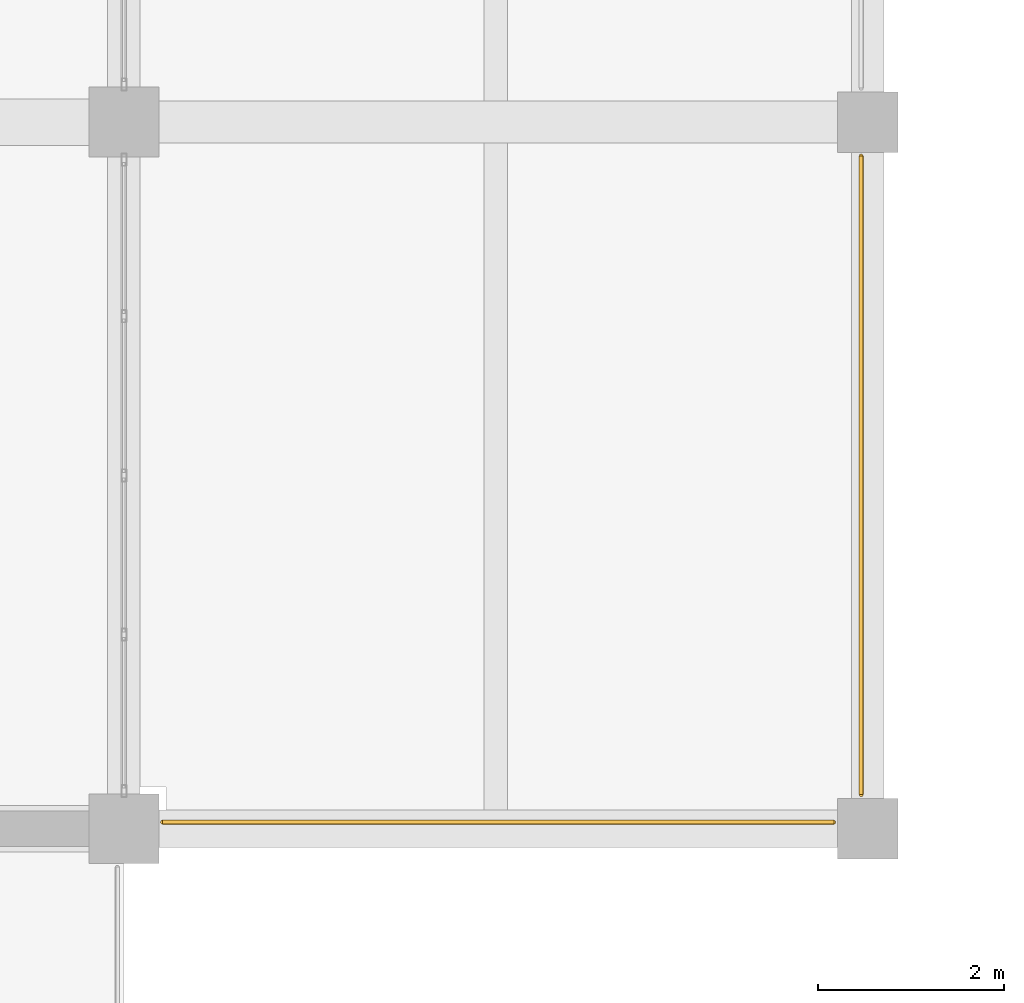
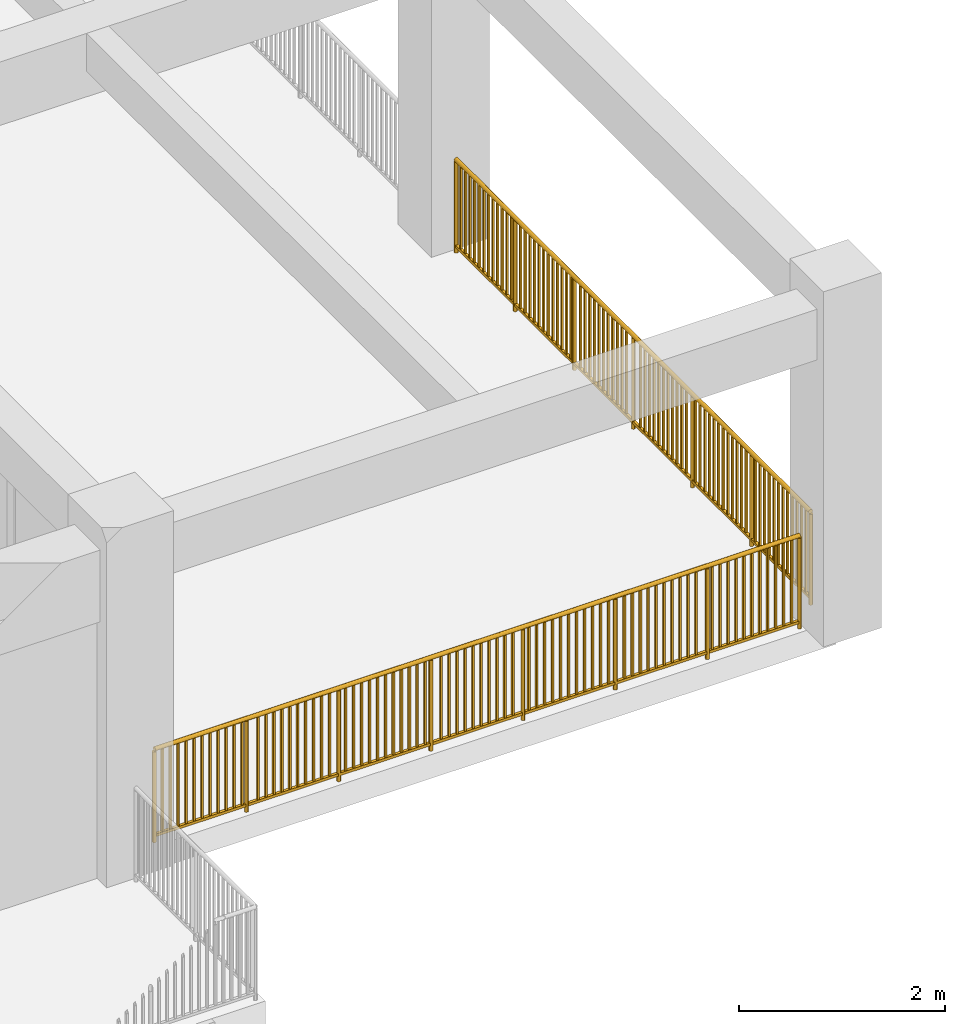
# One storey, part 53 of 63: 2 railings.
"""IFC4 building model written with IfcOpenShell, lengths in metres."""

from ifc_helpers import new_model, si_unit, direction, frame, origin, origin_2d, place, context, subcontext, project, spatial, rectangle, circle, extrude, material, type_object, element, save


model = new_model("IFC4")

# Units and contexts
model_context = context("Model", 3, precision=1e-05, world=origin(), true_north=direction((0.0, 1.0)))
body_context = subcontext(model_context, "Body", "Model", "MODEL_VIEW")
ifc_project = project(units=[si_unit("LENGTHUNIT", "METRE"), si_unit("AREAUNIT", "SQUARE_METRE"), si_unit("VOLUMEUNIT", "CUBIC_METRE"), si_unit("PLANEANGLEUNIT", "RADIAN"), si_unit("MASSUNIT", "GRAM", prefix="KILO")], contexts=[model_context])

# Site, building, storey
site_placement = place(None, origin())
site = spatial("IfcSite", under=ifc_project, at=site_placement, CompositionType="ELEMENT")
building_placement = place(site_placement, origin())
building = spatial("IfcBuilding", under=site, at=building_placement, Name="Zantavel Square City Hall", CompositionType="ELEMENT")
storey_placement = place(building_placement, frame((0.0, 0.0, 14.699951171875)))
storey = spatial("IfcBuildingStorey", under=building, at=storey_placement, Name="L04", CompositionType="ELEMENT", Elevation=14.699951171875)

# Railings
ifc_material = material(Name="Steel ASTM A500 Grade B", Category="steel")
railing_type = type_object("IfcRailingType", Name="Classical Stone & Steel Terrace Balustrade 1100mm", PredefinedType="BALUSTRADE", material=ifc_material)
railing_1_placement = place(storey_placement, frame((111.635009765625, 30.469970703125, 0.0)))
element("IfcRailing", 1, at=railing_1_placement, inside=storey, type_object=railing_type, Name="L04 Terrace Balustrade 039", PredefinedType="BALUSTRADE", context=body_context, shape_type="SweptSolid", body=[
    extrude(circle(Radius=0.02392578125, at=origin_2d()), frame((0.0, 0.0, 1.09619140625), z_axis=(-1.0, 0.0, 0.0), x_axis=(0.0, -1.0, 0.0)), (0.0, 0.0, 1.0), 7.219970703125),
    extrude(rectangle(XDim=0.031982421875, YDim=0.031982421875, at=origin_2d()), frame((0.0, 0.0, 0.080078125), z_axis=(-1.0, 0.0, 0.0), x_axis=(0.0, -1.0, 0.0)), (0.0, 0.0, 1.0), 7.219970703125),
    extrude(rectangle(XDim=0.02197265625, YDim=0.02197265625, at=origin_2d()), frame((-0.089111328125, 0.0, 0.080078125)), (0.0, 0.0, 1.0), 0.991943359375),
    extrude(rectangle(XDim=0.02197265625, YDim=0.02197265625, at=origin_2d()), frame((-0.17822265625, 0.0, 0.080078125)), (0.0, 0.0, 1.0), 0.991943359375),
    extrude(rectangle(XDim=0.02197265625, YDim=0.02197265625, at=origin_2d()), frame((-0.267333984375, 0.0, 0.080078125)), (0.0, 0.0, 1.0), 0.991943359375),
    extrude(rectangle(XDim=0.02197265625, YDim=0.02197265625, at=origin_2d()), frame((-0.3564453125, 0.0, 0.080078125)), (0.0, 0.0, 1.0), 0.991943359375),
    extrude(rectangle(XDim=0.02197265625, YDim=0.02197265625, at=origin_2d()), frame((-0.445556640625, 0.0, 0.080078125)), (0.0, 0.0, 1.0), 0.991943359375),
    extrude(rectangle(XDim=0.02197265625, YDim=0.02197265625, at=origin_2d()), frame((-0.534912109375, 0.0, 0.080078125)), (0.0, 0.0, 1.0), 0.991943359375),
    extrude(rectangle(XDim=0.02197265625, YDim=0.02197265625, at=origin_2d()), frame((-0.6240234375, 0.0, 0.080078125)), (0.0, 0.0, 1.0), 0.991943359375),
    extrude(rectangle(XDim=0.02197265625, YDim=0.02197265625, at=origin_2d()), frame((-0.713134765625, 0.0, 0.080078125)), (0.0, 0.0, 1.0), 0.991943359375),
    extrude(rectangle(XDim=0.02197265625, YDim=0.02197265625, at=origin_2d()), frame((-0.80224609375, 0.0, 0.080078125)), (0.0, 0.0, 1.0), 0.991943359375),
    extrude(rectangle(XDim=0.02197265625, YDim=0.02197265625, at=origin_2d()), frame((-0.891357421875, 0.0, 0.080078125)), (0.0, 0.0, 1.0), 0.991943359375),
    extrude(rectangle(XDim=0.02197265625, YDim=0.02197265625, at=origin_2d()), frame((-0.98046875, 0.0, 0.080078125)), (0.0, 0.0, 1.0), 0.991943359375),
    extrude(rectangle(XDim=0.02197265625, YDim=0.02197265625, at=origin_2d()), frame((-1.15869140625, 0.0, 0.080078125)), (0.0, 0.0, 1.0), 0.991943359375),
    extrude(rectangle(XDim=0.02197265625, YDim=0.02197265625, at=origin_2d()), frame((-1.247802734375, 0.0, 0.080078125)), (0.0, 0.0, 1.0), 0.991943359375),
    extrude(rectangle(XDim=0.02197265625, YDim=0.02197265625, at=origin_2d()), frame((-1.3369140625, 0.0, 0.080078125)), (0.0, 0.0, 1.0), 0.991943359375),
    extrude(rectangle(XDim=0.02197265625, YDim=0.02197265625, at=origin_2d()), frame((-1.42626953125, 0.0, 0.080078125)), (0.0, 0.0, 1.0), 0.991943359375),
    extrude(rectangle(XDim=0.02197265625, YDim=0.02197265625, at=origin_2d()), frame((-1.515380859375, 0.0, 0.080078125)), (0.0, 0.0, 1.0), 0.991943359375),
    extrude(rectangle(XDim=0.02197265625, YDim=0.02197265625, at=origin_2d()), frame((-1.6044921875, 0.0, 0.080078125)), (0.0, 0.0, 1.0), 0.991943359375),
    extrude(rectangle(XDim=0.02197265625, YDim=0.02197265625, at=origin_2d()), frame((-1.693603515625, 0.0, 0.080078125)), (0.0, 0.0, 1.0), 0.991943359375),
    extrude(rectangle(XDim=0.02197265625, YDim=0.02197265625, at=origin_2d()), frame((-1.78271484375, 0.0, 0.080078125)), (0.0, 0.0, 1.0), 0.991943359375),
    extrude(rectangle(XDim=0.02197265625, YDim=0.02197265625, at=origin_2d()), frame((-1.871826171875, 0.0, 0.080078125)), (0.0, 0.0, 1.0), 0.991943359375),
    extrude(rectangle(XDim=0.02197265625, YDim=0.02197265625, at=origin_2d()), frame((-1.9609375, 0.0, 0.080078125)), (0.0, 0.0, 1.0), 0.991943359375),
    extrude(rectangle(XDim=0.02197265625, YDim=0.02197265625, at=origin_2d()), frame((-2.13916015625, 0.0, 0.080078125)), (0.0, 0.0, 1.0), 0.991943359375),
    extrude(rectangle(XDim=0.02197265625, YDim=0.02197265625, at=origin_2d()), frame((-2.228271484375, 0.0, 0.080078125)), (0.0, 0.0, 1.0), 0.991943359375),
    extrude(rectangle(XDim=0.02197265625, YDim=0.02197265625, at=origin_2d()), frame((-2.317626953125, 0.0, 0.080078125)), (0.0, 0.0, 1.0), 0.991943359375),
    extrude(rectangle(XDim=0.02197265625, YDim=0.02197265625, at=origin_2d()), frame((-2.40673828125, 0.0, 0.080078125)), (0.0, 0.0, 1.0), 0.991943359375),
    extrude(rectangle(XDim=0.02197265625, YDim=0.02197265625, at=origin_2d()), frame((-2.495849609375, 0.0, 0.080078125)), (0.0, 0.0, 1.0), 0.991943359375),
    extrude(rectangle(XDim=0.02197265625, YDim=0.02197265625, at=origin_2d()), frame((-2.5849609375, 0.0, 0.080078125)), (0.0, 0.0, 1.0), 0.991943359375),
    extrude(rectangle(XDim=0.02197265625, YDim=0.02197265625, at=origin_2d()), frame((-2.674072265625, 0.0, 0.080078125)), (0.0, 0.0, 1.0), 0.991943359375),
    extrude(rectangle(XDim=0.02197265625, YDim=0.02197265625, at=origin_2d()), frame((-2.76318359375, 0.0, 0.080078125)), (0.0, 0.0, 1.0), 0.991943359375),
    extrude(rectangle(XDim=0.02197265625, YDim=0.02197265625, at=origin_2d()), frame((-2.852294921875, 0.0, 0.080078125)), (0.0, 0.0, 1.0), 0.991943359375),
    extrude(rectangle(XDim=0.02197265625, YDim=0.02197265625, at=origin_2d()), frame((-2.94140625, 0.0, 0.080078125)), (0.0, 0.0, 1.0), 0.991943359375),
    extrude(rectangle(XDim=0.02197265625, YDim=0.02197265625, at=origin_2d()), frame((-3.030517578125, 0.0, 0.080078125)), (0.0, 0.0, 1.0), 0.991943359375),
    extrude(rectangle(XDim=0.02197265625, YDim=0.02197265625, at=origin_2d()), frame((-3.208984375, 0.0, 0.080078125)), (0.0, 0.0, 1.0), 0.991943359375),
    extrude(rectangle(XDim=0.02197265625, YDim=0.02197265625, at=origin_2d()), frame((-3.298095703125, 0.0, 0.080078125)), (0.0, 0.0, 1.0), 0.991943359375),
    extrude(rectangle(XDim=0.02197265625, YDim=0.02197265625, at=origin_2d()), frame((-3.38720703125, 0.0, 0.080078125)), (0.0, 0.0, 1.0), 0.991943359375),
    extrude(rectangle(XDim=0.02197265625, YDim=0.02197265625, at=origin_2d()), frame((-3.476318359375, 0.0, 0.080078125)), (0.0, 0.0, 1.0), 0.991943359375),
    extrude(rectangle(XDim=0.02197265625, YDim=0.02197265625, at=origin_2d()), frame((-3.5654296875, 0.0, 0.080078125)), (0.0, 0.0, 1.0), 0.991943359375),
    extrude(rectangle(XDim=0.02197265625, YDim=0.02197265625, at=origin_2d()), frame((-3.654541015625, 0.0, 0.080078125)), (0.0, 0.0, 1.0), 0.991943359375),
    extrude(rectangle(XDim=0.02197265625, YDim=0.02197265625, at=origin_2d()), frame((-3.74365234375, 0.0, 0.080078125)), (0.0, 0.0, 1.0), 0.991943359375),
    extrude(rectangle(XDim=0.02197265625, YDim=0.02197265625, at=origin_2d()), frame((-3.832763671875, 0.0, 0.080078125)), (0.0, 0.0, 1.0), 0.991943359375),
    extrude(rectangle(XDim=0.02197265625, YDim=0.02197265625, at=origin_2d()), frame((-3.921875, 0.0, 0.080078125)), (0.0, 0.0, 1.0), 0.991943359375),
    extrude(rectangle(XDim=0.02197265625, YDim=0.02197265625, at=origin_2d()), frame((-4.010986328125, 0.0, 0.080078125)), (0.0, 0.0, 1.0), 0.991943359375),
    extrude(rectangle(XDim=0.02197265625, YDim=0.02197265625, at=origin_2d()), frame((-4.189453125, 0.0, 0.080078125)), (0.0, 0.0, 1.0), 0.991943359375),
    extrude(rectangle(XDim=0.02197265625, YDim=0.02197265625, at=origin_2d()), frame((-4.278564453125, 0.0, 0.080078125)), (0.0, 0.0, 1.0), 0.991943359375),
    extrude(rectangle(XDim=0.02197265625, YDim=0.02197265625, at=origin_2d()), frame((-4.36767578125, 0.0, 0.080078125)), (0.0, 0.0, 1.0), 0.991943359375),
    extrude(rectangle(XDim=0.02197265625, YDim=0.02197265625, at=origin_2d()), frame((-4.456787109375, 0.0, 0.080078125)), (0.0, 0.0, 1.0), 0.991943359375),
    extrude(rectangle(XDim=0.02197265625, YDim=0.02197265625, at=origin_2d()), frame((-4.5458984375, 0.0, 0.080078125)), (0.0, 0.0, 1.0), 0.991943359375),
    extrude(rectangle(XDim=0.02197265625, YDim=0.02197265625, at=origin_2d()), frame((-4.635009765625, 0.0, 0.080078125)), (0.0, 0.0, 1.0), 0.991943359375),
    extrude(rectangle(XDim=0.02197265625, YDim=0.02197265625, at=origin_2d()), frame((-4.72412109375, 0.0, 0.080078125)), (0.0, 0.0, 1.0), 0.991943359375),
    extrude(rectangle(XDim=0.02197265625, YDim=0.02197265625, at=origin_2d()), frame((-4.813232421875, 0.0, 0.080078125)), (0.0, 0.0, 1.0), 0.991943359375),
    extrude(rectangle(XDim=0.02197265625, YDim=0.02197265625, at=origin_2d()), frame((-4.90234375, 0.0, 0.080078125)), (0.0, 0.0, 1.0), 0.991943359375),
    extrude(rectangle(XDim=0.02197265625, YDim=0.02197265625, at=origin_2d()), frame((-4.99169921875, 0.0, 0.080078125)), (0.0, 0.0, 1.0), 0.991943359375),
    extrude(rectangle(XDim=0.02197265625, YDim=0.02197265625, at=origin_2d()), frame((-5.080810546875, 0.0, 0.080078125)), (0.0, 0.0, 1.0), 0.991943359375),
    extrude(rectangle(XDim=0.02197265625, YDim=0.02197265625, at=origin_2d()), frame((-5.259033203125, 0.0, 0.080078125)), (0.0, 0.0, 1.0), 0.991943359375),
    extrude(rectangle(XDim=0.02197265625, YDim=0.02197265625, at=origin_2d()), frame((-5.34814453125, 0.0, 0.080078125)), (0.0, 0.0, 1.0), 0.991943359375),
    extrude(rectangle(XDim=0.02197265625, YDim=0.02197265625, at=origin_2d()), frame((-5.437255859375, 0.0, 0.080078125)), (0.0, 0.0, 1.0), 0.991943359375),
    extrude(rectangle(XDim=0.02197265625, YDim=0.02197265625, at=origin_2d()), frame((-5.5263671875, 0.0, 0.080078125)), (0.0, 0.0, 1.0), 0.991943359375),
    extrude(rectangle(XDim=0.02197265625, YDim=0.02197265625, at=origin_2d()), frame((-5.615478515625, 0.0, 0.080078125)), (0.0, 0.0, 1.0), 0.991943359375),
    extrude(rectangle(XDim=0.02197265625, YDim=0.02197265625, at=origin_2d()), frame((-5.70458984375, 0.0, 0.080078125)), (0.0, 0.0, 1.0), 0.991943359375),
    extrude(rectangle(XDim=0.02197265625, YDim=0.02197265625, at=origin_2d()), frame((-5.793701171875, 0.0, 0.080078125)), (0.0, 0.0, 1.0), 0.991943359375),
    extrude(rectangle(XDim=0.02197265625, YDim=0.02197265625, at=origin_2d()), frame((-5.883056640625, 0.0, 0.080078125)), (0.0, 0.0, 1.0), 0.991943359375),
    extrude(rectangle(XDim=0.02197265625, YDim=0.02197265625, at=origin_2d()), frame((-5.97216796875, 0.0, 0.080078125)), (0.0, 0.0, 1.0), 0.991943359375),
    extrude(rectangle(XDim=0.02197265625, YDim=0.02197265625, at=origin_2d()), frame((-6.061279296875, 0.0, 0.080078125)), (0.0, 0.0, 1.0), 0.991943359375),
    extrude(rectangle(XDim=0.02197265625, YDim=0.02197265625, at=origin_2d()), frame((-6.239501953125, 0.0, 0.080078125)), (0.0, 0.0, 1.0), 0.991943359375),
    extrude(rectangle(XDim=0.02197265625, YDim=0.02197265625, at=origin_2d()), frame((-6.32861328125, 0.0, 0.080078125)), (0.0, 0.0, 1.0), 0.991943359375),
    extrude(rectangle(XDim=0.02197265625, YDim=0.02197265625, at=origin_2d()), frame((-6.417724609375, 0.0, 0.080078125)), (0.0, 0.0, 1.0), 0.991943359375),
    extrude(rectangle(XDim=0.02197265625, YDim=0.02197265625, at=origin_2d()), frame((-6.5068359375, 0.0, 0.080078125)), (0.0, 0.0, 1.0), 0.991943359375),
    extrude(rectangle(XDim=0.02197265625, YDim=0.02197265625, at=origin_2d()), frame((-6.595947265625, 0.0, 0.080078125)), (0.0, 0.0, 1.0), 0.991943359375),
    extrude(rectangle(XDim=0.02197265625, YDim=0.02197265625, at=origin_2d()), frame((-6.68505859375, 0.0, 0.080078125)), (0.0, 0.0, 1.0), 0.991943359375),
    extrude(rectangle(XDim=0.02197265625, YDim=0.02197265625, at=origin_2d()), frame((-6.7744140625, 0.0, 0.080078125)), (0.0, 0.0, 1.0), 0.991943359375),
    extrude(rectangle(XDim=0.02197265625, YDim=0.02197265625, at=origin_2d()), frame((-6.863525390625, 0.0, 0.080078125)), (0.0, 0.0, 1.0), 0.991943359375),
    extrude(rectangle(XDim=0.02197265625, YDim=0.02197265625, at=origin_2d()), frame((-6.95263671875, 0.0, 0.080078125)), (0.0, 0.0, 1.0), 0.991943359375),
    extrude(rectangle(XDim=0.02197265625, YDim=0.02197265625, at=origin_2d()), frame((-7.041748046875, 0.0, 0.080078125)), (0.0, 0.0, 1.0), 0.991943359375),
    extrude(rectangle(XDim=0.02197265625, YDim=0.02197265625, at=origin_2d()), frame((-7.130859375, 0.0, 0.080078125)), (0.0, 0.0, 1.0), 0.991943359375),
    extrude(circle(Radius=0.02099609375, at=origin_2d()), origin(), (0.0, 0.0, 1.0), 1.072021484375),
    extrude(circle(Radius=0.02099609375, at=origin_2d()), frame((-1.031494140625, 0.0, 0.0)), (0.0, 0.0, 1.0), 1.072021484375),
    extrude(circle(Radius=0.02099609375, at=origin_2d()), frame((-2.062744140625, 0.0, 0.0)), (0.0, 0.0, 1.0), 1.072021484375),
    extrude(circle(Radius=0.02099609375, at=origin_2d()), frame((-3.09423828125, 0.0, 0.0)), (0.0, 0.0, 1.0), 1.072021484375),
    extrude(circle(Radius=0.02099609375, at=origin_2d()), frame((-4.125732421875, 0.0, 0.0)), (0.0, 0.0, 1.0), 1.072021484375),
    extrude(circle(Radius=0.02099609375, at=origin_2d()), frame((-5.1572265625, 0.0, 0.0)), (0.0, 0.0, 1.0), 1.072021484375),
    extrude(circle(Radius=0.02099609375, at=origin_2d()), frame((-6.1884765625, 0.0, 0.0)), (0.0, 0.0, 1.0), 1.072021484375),
    extrude(circle(Radius=0.02099609375, at=origin_2d()), frame((-7.219970703125, 0.0, 0.0)), (0.0, 0.0, 1.0), 1.072021484375),
])
railing_2_placement = place(storey_placement, frame((111.929931640625, 37.635009765625, 0.0)))
element("IfcRailing", 2, at=railing_2_placement, inside=storey, type_object=railing_type, Name="L04 Terrace Balustrade 041", PredefinedType="BALUSTRADE", context=body_context, shape_type="SweptSolid", body=[
    extrude(circle(Radius=0.02392578125, at=origin_2d()), frame((0.0, 0.0, 1.09619140625), z_axis=(0.0, -1.0, 0.0), x_axis=(1.0, 0.0, 0.0)), (0.0, 0.0, 1.0), 6.8701171875),
    extrude(rectangle(XDim=0.031982421875, YDim=0.031982421875, at=origin_2d()), frame((0.0, 0.0, 0.080078125), z_axis=(0.0, -1.0, 0.0), x_axis=(1.0, 0.0, 0.0)), (0.0, 0.0, 1.0), 6.8701171875),
    extrude(rectangle(XDim=0.02197265625, YDim=0.02197265625, at=origin_2d()), frame((0.0, -0.089111328125, 0.080078125)), (0.0, 0.0, 1.0), 0.991943359375),
    extrude(rectangle(XDim=0.02197265625, YDim=0.02197265625, at=origin_2d()), frame((0.0, -0.178466796875, 0.080078125)), (0.0, 0.0, 1.0), 0.991943359375),
    extrude(rectangle(XDim=0.02197265625, YDim=0.02197265625, at=origin_2d()), frame((0.0, -0.267578125, 0.080078125)), (0.0, 0.0, 1.0), 0.991943359375),
    extrude(rectangle(XDim=0.02197265625, YDim=0.02197265625, at=origin_2d()), frame((0.0, -0.35693359375, 0.080078125)), (0.0, 0.0, 1.0), 0.991943359375),
    extrude(rectangle(XDim=0.02197265625, YDim=0.02197265625, at=origin_2d()), frame((0.0, -0.446044921875, 0.080078125)), (0.0, 0.0, 1.0), 0.991943359375),
    extrude(rectangle(XDim=0.02197265625, YDim=0.02197265625, at=origin_2d()), frame((0.0, -0.535400390625, 0.080078125)), (0.0, 0.0, 1.0), 0.991943359375),
    extrude(rectangle(XDim=0.02197265625, YDim=0.02197265625, at=origin_2d()), frame((0.0, -0.62451171875, 0.080078125)), (0.0, 0.0, 1.0), 0.991943359375),
    extrude(rectangle(XDim=0.02197265625, YDim=0.02197265625, at=origin_2d()), frame((0.0, -0.7138671875, 0.080078125)), (0.0, 0.0, 1.0), 0.991943359375),
    extrude(rectangle(XDim=0.02197265625, YDim=0.02197265625, at=origin_2d()), frame((0.0, -0.802978515625, 0.080078125)), (0.0, 0.0, 1.0), 0.991943359375),
    extrude(rectangle(XDim=0.02197265625, YDim=0.02197265625, at=origin_2d()), frame((0.0, -0.892333984375, 0.080078125)), (0.0, 0.0, 1.0), 0.991943359375),
    extrude(rectangle(XDim=0.02197265625, YDim=0.02197265625, at=origin_2d()), frame((0.0, -0.9814453125, 0.080078125)), (0.0, 0.0, 1.0), 0.991943359375),
    extrude(rectangle(XDim=0.02197265625, YDim=0.02197265625, at=origin_2d()), frame((0.0, -1.070556640625, 0.080078125)), (0.0, 0.0, 1.0), 0.991943359375),
    extrude(rectangle(XDim=0.02197265625, YDim=0.02197265625, at=origin_2d()), frame((0.0, -1.2490234375, 0.080078125)), (0.0, 0.0, 1.0), 0.991943359375),
    extrude(rectangle(XDim=0.02197265625, YDim=0.02197265625, at=origin_2d()), frame((0.0, -1.33837890625, 0.080078125)), (0.0, 0.0, 1.0), 0.991943359375),
    extrude(rectangle(XDim=0.02197265625, YDim=0.02197265625, at=origin_2d()), frame((0.0, -1.427490234375, 0.080078125)), (0.0, 0.0, 1.0), 0.991943359375),
    extrude(rectangle(XDim=0.02197265625, YDim=0.02197265625, at=origin_2d()), frame((0.0, -1.516845703125, 0.080078125)), (0.0, 0.0, 1.0), 0.991943359375),
    extrude(rectangle(XDim=0.02197265625, YDim=0.02197265625, at=origin_2d()), frame((0.0, -1.60595703125, 0.080078125)), (0.0, 0.0, 1.0), 0.991943359375),
    extrude(rectangle(XDim=0.02197265625, YDim=0.02197265625, at=origin_2d()), frame((0.0, -1.6953125, 0.080078125)), (0.0, 0.0, 1.0), 0.991943359375),
    extrude(rectangle(XDim=0.02197265625, YDim=0.02197265625, at=origin_2d()), frame((0.0, -1.784423828125, 0.080078125)), (0.0, 0.0, 1.0), 0.991943359375),
    extrude(rectangle(XDim=0.02197265625, YDim=0.02197265625, at=origin_2d()), frame((0.0, -1.873779296875, 0.080078125)), (0.0, 0.0, 1.0), 0.991943359375),
    extrude(rectangle(XDim=0.02197265625, YDim=0.02197265625, at=origin_2d()), frame((0.0, -1.962890625, 0.080078125)), (0.0, 0.0, 1.0), 0.991943359375),
    extrude(rectangle(XDim=0.02197265625, YDim=0.02197265625, at=origin_2d()), frame((0.0, -2.052001953125, 0.080078125)), (0.0, 0.0, 1.0), 0.991943359375),
    extrude(rectangle(XDim=0.02197265625, YDim=0.02197265625, at=origin_2d()), frame((0.0, -2.141357421875, 0.080078125)), (0.0, 0.0, 1.0), 0.991943359375),
    extrude(rectangle(XDim=0.02197265625, YDim=0.02197265625, at=origin_2d()), frame((0.0, -2.23046875, 0.080078125)), (0.0, 0.0, 1.0), 0.991943359375),
    extrude(rectangle(XDim=0.02197265625, YDim=0.02197265625, at=origin_2d()), frame((0.0, -2.408935546875, 0.080078125)), (0.0, 0.0, 1.0), 0.991943359375),
    extrude(rectangle(XDim=0.02197265625, YDim=0.02197265625, at=origin_2d()), frame((0.0, -2.498291015625, 0.080078125)), (0.0, 0.0, 1.0), 0.991943359375),
    extrude(rectangle(XDim=0.02197265625, YDim=0.02197265625, at=origin_2d()), frame((0.0, -2.58740234375, 0.080078125)), (0.0, 0.0, 1.0), 0.991943359375),
    extrude(rectangle(XDim=0.02197265625, YDim=0.02197265625, at=origin_2d()), frame((0.0, -2.6767578125, 0.080078125)), (0.0, 0.0, 1.0), 0.991943359375),
    extrude(rectangle(XDim=0.02197265625, YDim=0.02197265625, at=origin_2d()), frame((0.0, -2.765869140625, 0.080078125)), (0.0, 0.0, 1.0), 0.991943359375),
    extrude(rectangle(XDim=0.02197265625, YDim=0.02197265625, at=origin_2d()), frame((0.0, -2.855224609375, 0.080078125)), (0.0, 0.0, 1.0), 0.991943359375),
    extrude(rectangle(XDim=0.02197265625, YDim=0.02197265625, at=origin_2d()), frame((0.0, -2.9443359375, 0.080078125)), (0.0, 0.0, 1.0), 0.991943359375),
    extrude(rectangle(XDim=0.02197265625, YDim=0.02197265625, at=origin_2d()), frame((0.0, -3.033447265625, 0.080078125)), (0.0, 0.0, 1.0), 0.991943359375),
    extrude(rectangle(XDim=0.02197265625, YDim=0.02197265625, at=origin_2d()), frame((0.0, -3.122802734375, 0.080078125)), (0.0, 0.0, 1.0), 0.991943359375),
    extrude(rectangle(XDim=0.02197265625, YDim=0.02197265625, at=origin_2d()), frame((0.0, -3.2119140625, 0.080078125)), (0.0, 0.0, 1.0), 0.991943359375),
    extrude(rectangle(XDim=0.02197265625, YDim=0.02197265625, at=origin_2d()), frame((0.0, -3.30126953125, 0.080078125)), (0.0, 0.0, 1.0), 0.991943359375),
    extrude(rectangle(XDim=0.02197265625, YDim=0.02197265625, at=origin_2d()), frame((0.0, -3.56884765625, 0.080078125)), (0.0, 0.0, 1.0), 0.991943359375),
    extrude(rectangle(XDim=0.02197265625, YDim=0.02197265625, at=origin_2d()), frame((0.0, -3.658203125, 0.080078125)), (0.0, 0.0, 1.0), 0.991943359375),
    extrude(rectangle(XDim=0.02197265625, YDim=0.02197265625, at=origin_2d()), frame((0.0, -3.747314453125, 0.080078125)), (0.0, 0.0, 1.0), 0.991943359375),
    extrude(rectangle(XDim=0.02197265625, YDim=0.02197265625, at=origin_2d()), frame((0.0, -3.836669921875, 0.080078125)), (0.0, 0.0, 1.0), 0.991943359375),
    extrude(rectangle(XDim=0.02197265625, YDim=0.02197265625, at=origin_2d()), frame((0.0, -3.92578125, 0.080078125)), (0.0, 0.0, 1.0), 0.991943359375),
    extrude(rectangle(XDim=0.02197265625, YDim=0.02197265625, at=origin_2d()), frame((0.0, -4.014892578125, 0.080078125)), (0.0, 0.0, 1.0), 0.991943359375),
    extrude(rectangle(XDim=0.02197265625, YDim=0.02197265625, at=origin_2d()), frame((0.0, -4.104248046875, 0.080078125)), (0.0, 0.0, 1.0), 0.991943359375),
    extrude(rectangle(XDim=0.02197265625, YDim=0.02197265625, at=origin_2d()), frame((0.0, -4.193359375, 0.080078125)), (0.0, 0.0, 1.0), 0.991943359375),
    extrude(rectangle(XDim=0.02197265625, YDim=0.02197265625, at=origin_2d()), frame((0.0, -4.28271484375, 0.080078125)), (0.0, 0.0, 1.0), 0.991943359375),
    extrude(rectangle(XDim=0.02197265625, YDim=0.02197265625, at=origin_2d()), frame((0.0, -4.371826171875, 0.080078125)), (0.0, 0.0, 1.0), 0.991943359375),
    extrude(rectangle(XDim=0.02197265625, YDim=0.02197265625, at=origin_2d()), frame((0.0, -4.461181640625, 0.080078125)), (0.0, 0.0, 1.0), 0.991943359375),
    extrude(rectangle(XDim=0.02197265625, YDim=0.02197265625, at=origin_2d()), frame((0.0, -4.6396484375, 0.080078125)), (0.0, 0.0, 1.0), 0.991943359375),
    extrude(rectangle(XDim=0.02197265625, YDim=0.02197265625, at=origin_2d()), frame((0.0, -4.728759765625, 0.080078125)), (0.0, 0.0, 1.0), 0.991943359375),
    extrude(rectangle(XDim=0.02197265625, YDim=0.02197265625, at=origin_2d()), frame((0.0, -4.818115234375, 0.080078125)), (0.0, 0.0, 1.0), 0.991943359375),
    extrude(rectangle(XDim=0.02197265625, YDim=0.02197265625, at=origin_2d()), frame((0.0, -4.9072265625, 0.080078125)), (0.0, 0.0, 1.0), 0.991943359375),
    extrude(rectangle(XDim=0.02197265625, YDim=0.02197265625, at=origin_2d()), frame((0.0, -4.996337890625, 0.080078125)), (0.0, 0.0, 1.0), 0.991943359375),
    extrude(rectangle(XDim=0.02197265625, YDim=0.02197265625, at=origin_2d()), frame((0.0, -5.085693359375, 0.080078125)), (0.0, 0.0, 1.0), 0.991943359375),
    extrude(rectangle(XDim=0.02197265625, YDim=0.02197265625, at=origin_2d()), frame((0.0, -5.1748046875, 0.080078125)), (0.0, 0.0, 1.0), 0.991943359375),
    extrude(rectangle(XDim=0.02197265625, YDim=0.02197265625, at=origin_2d()), frame((0.0, -5.26416015625, 0.080078125)), (0.0, 0.0, 1.0), 0.991943359375),
    extrude(rectangle(XDim=0.02197265625, YDim=0.02197265625, at=origin_2d()), frame((0.0, -5.353271484375, 0.080078125)), (0.0, 0.0, 1.0), 0.991943359375),
    extrude(rectangle(XDim=0.02197265625, YDim=0.02197265625, at=origin_2d()), frame((0.0, -5.442626953125, 0.080078125)), (0.0, 0.0, 1.0), 0.991943359375),
    extrude(rectangle(XDim=0.02197265625, YDim=0.02197265625, at=origin_2d()), frame((0.0, -5.53173828125, 0.080078125)), (0.0, 0.0, 1.0), 0.991943359375),
    extrude(rectangle(XDim=0.02197265625, YDim=0.02197265625, at=origin_2d()), frame((0.0, -5.62109375, 0.080078125)), (0.0, 0.0, 1.0), 0.991943359375),
    extrude(rectangle(XDim=0.02197265625, YDim=0.02197265625, at=origin_2d()), frame((0.0, -5.799560546875, 0.080078125)), (0.0, 0.0, 1.0), 0.991943359375),
    extrude(rectangle(XDim=0.02197265625, YDim=0.02197265625, at=origin_2d()), frame((0.0, -5.888671875, 0.080078125)), (0.0, 0.0, 1.0), 0.991943359375),
    extrude(rectangle(XDim=0.02197265625, YDim=0.02197265625, at=origin_2d()), frame((0.0, -5.977783203125, 0.080078125)), (0.0, 0.0, 1.0), 0.991943359375),
    extrude(rectangle(XDim=0.02197265625, YDim=0.02197265625, at=origin_2d()), frame((0.0, -6.067138671875, 0.080078125)), (0.0, 0.0, 1.0), 0.991943359375),
    extrude(rectangle(XDim=0.02197265625, YDim=0.02197265625, at=origin_2d()), frame((0.0, -6.15625, 0.080078125)), (0.0, 0.0, 1.0), 0.991943359375),
    extrude(rectangle(XDim=0.02197265625, YDim=0.02197265625, at=origin_2d()), frame((0.0, -6.24560546875, 0.080078125)), (0.0, 0.0, 1.0), 0.991943359375),
    extrude(rectangle(XDim=0.02197265625, YDim=0.02197265625, at=origin_2d()), frame((0.0, -6.334716796875, 0.080078125)), (0.0, 0.0, 1.0), 0.991943359375),
    extrude(rectangle(XDim=0.02197265625, YDim=0.02197265625, at=origin_2d()), frame((0.0, -6.424072265625, 0.080078125)), (0.0, 0.0, 1.0), 0.991943359375),
    extrude(rectangle(XDim=0.02197265625, YDim=0.02197265625, at=origin_2d()), frame((0.0, -6.51318359375, 0.080078125)), (0.0, 0.0, 1.0), 0.991943359375),
    extrude(rectangle(XDim=0.02197265625, YDim=0.02197265625, at=origin_2d()), frame((0.0, -6.6025390625, 0.080078125)), (0.0, 0.0, 1.0), 0.991943359375),
    extrude(rectangle(XDim=0.02197265625, YDim=0.02197265625, at=origin_2d()), frame((0.0, -6.691650390625, 0.080078125)), (0.0, 0.0, 1.0), 0.991943359375),
    extrude(rectangle(XDim=0.02197265625, YDim=0.02197265625, at=origin_2d()), frame((0.0, -6.781005859375, 0.080078125)), (0.0, 0.0, 1.0), 0.991943359375),
    extrude(circle(Radius=0.02099609375, at=origin_2d()), origin(), (0.0, 0.0, 1.0), 1.072021484375),
    extrude(circle(Radius=0.02099609375, at=origin_2d()), frame((0.0, -1.14501953125, 0.0)), (0.0, 0.0, 1.0), 1.072021484375),
    extrude(circle(Radius=0.02099609375, at=origin_2d()), frame((0.0, -2.2900390625, 0.0)), (0.0, 0.0, 1.0), 1.072021484375),
    extrude(circle(Radius=0.02099609375, at=origin_2d()), frame((0.0, -3.43505859375, 0.0)), (0.0, 0.0, 1.0), 1.072021484375),
    extrude(circle(Radius=0.02099609375, at=origin_2d()), frame((0.0, -4.580078125, 0.0)), (0.0, 0.0, 1.0), 1.072021484375),
    extrude(circle(Radius=0.02099609375, at=origin_2d()), frame((0.0, -5.72509765625, 0.0)), (0.0, 0.0, 1.0), 1.072021484375),
    extrude(circle(Radius=0.02099609375, at=origin_2d()), frame((0.0, -6.8701171875, 0.0)), (0.0, 0.0, 1.0), 1.072021484375),
])

save(model, "model.ifc")
